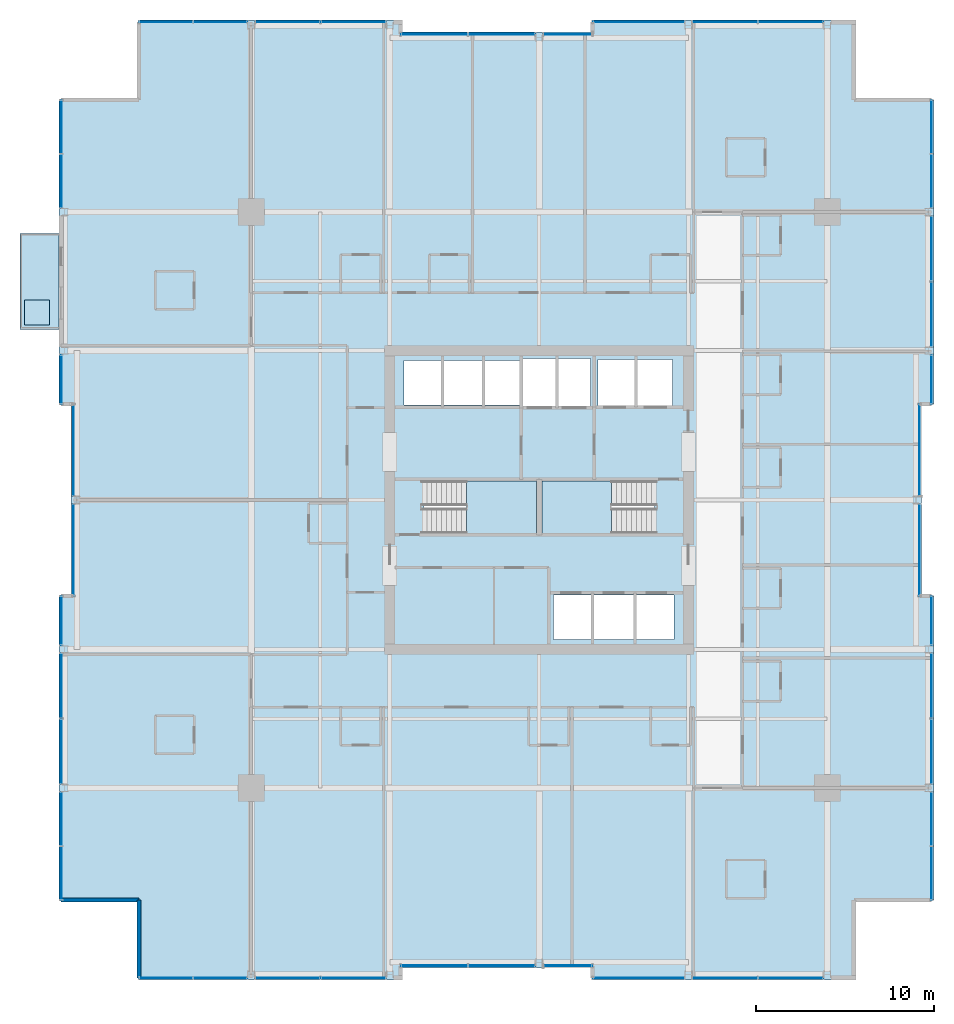
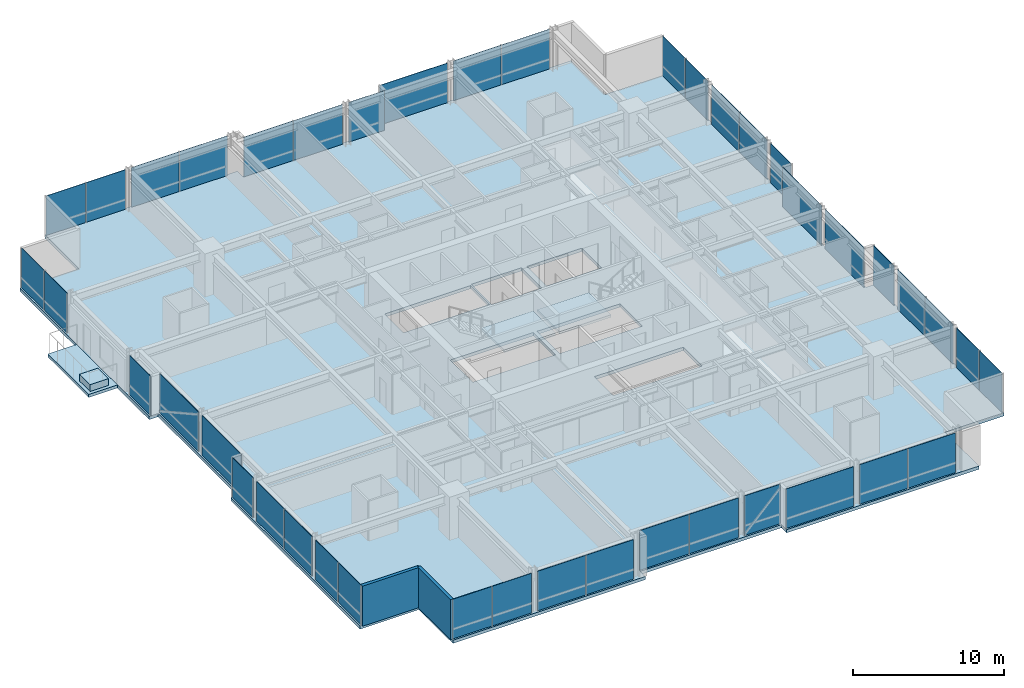
# One storey, part 27 of 35: 42 plates, 5 slabs, 2 walls, 29 elements without a shape of their own.
"""IFC4 building model written with IfcOpenShell, lengths in metres."""

from ifc_helpers import new_model, si_unit, direction, frame, frame_2d, origin, origin_2d, place, context, subcontext, project, spatial, polyline, rectangle, outline, extrude, material, layer, layer_set, type_object, element, aggregate, save


model = new_model("IFC4")

# Units and contexts
model_context = context("Model", 3, precision=1e-05, world=origin(), true_north=direction((0.0, 1.0)))
body_context = subcontext(model_context, "Body", "Model", "MODEL_VIEW")
ifc_project = project(units=[si_unit("LENGTHUNIT", "METRE"), si_unit("AREAUNIT", "SQUARE_METRE"), si_unit("VOLUMEUNIT", "CUBIC_METRE"), si_unit("PLANEANGLEUNIT", "RADIAN"), si_unit("MASSUNIT", "GRAM", prefix="KILO")], contexts=[model_context])

# Site, building, storey
site_placement = place(None, origin())
site = spatial("IfcSite", under=ifc_project, at=site_placement, CompositionType="ELEMENT")
building_placement = place(site_placement, origin())
building = spatial("IfcBuilding", under=site, at=building_placement, Name="Drelvath Grand Hotel", CompositionType="ELEMENT")
storey_placement = place(building_placement, frame((0.0, 0.0, 123.300048828125)))
storey = spatial("IfcBuildingStorey", under=building, at=storey_placement, Name="L31", CompositionType="ELEMENT", Elevation=123.300048828125)

# Slabs
ifc_material_1 = material(Name="Concrete f'c 40 MPa", Category="concrete")
ifc_layer_1 = layer(ifc_material_1, 0.239990234375)
ifc_layer_set_1 = layer_set([ifc_layer_1], Name="Concrete f'c 40 MPa")
slab_type_1 = type_object("IfcSlabType", Name="Cantilevered Tree Balcony Slab 240", PredefinedType="FLOOR", material=ifc_layer_set_1)
slab_1_placement = place(storey_placement, frame((0.0, 0.0, -0.239990234375)))
element("IfcSlab", 1, at=slab_1_placement, inside=storey, type_object=slab_type_1, Name="L31 Cantilevered Tree Balcony Slab 1", PredefinedType="FLOOR", context=body_context, shape_type="SweptSolid", body=[
    extrude(outline(polyline([(-29.199951171875, 36.60009765625), (-27.0, 36.60009765625), (-27.0, 42.0), (-29.199951171875, 42.0), (-29.199951171875, 36.60009765625)])), origin(), (0.0, 0.0, 1.0), 0.239990234375),
])
ifc_layer_2 = layer(ifc_material_1, 0.260009765625)
ifc_layer_set_2 = layer_set([ifc_layer_2], Name="Concrete f'c 40 MPa")
slab_type_2 = type_object("IfcSlabType", Name="Composite RC Floor Slab 260", PredefinedType="FLOOR", material=ifc_layer_set_2)
slab_2_placement = place(storey_placement, frame((0.0, 0.0, -0.260009765625)))
element("IfcSlab", 2, at=slab_2_placement, inside=storey, type_object=slab_type_2, Name="L31 Structural Floor Slab", PredefinedType="FLOOR", context=body_context, shape_type="SweptSolid", body=[
    extrude(outline(polyline([(-22.5, 0.0), (-7.800048828125, 0.0), (-7.800048828125, 0.679931640625), (3.0, 0.679931640625), (3.0, 0.0), (17.699951171875, 0.0), (17.699951171875, 4.5), (22.199951171875, 4.5), (22.199951171875, 21.60009765625), (21.52001953125, 21.60009765625), (21.52001953125, 32.39990234375), (22.199951171875, 32.39990234375), (22.199951171875, 49.5), (17.699951171875, 49.5), (17.699951171875, 54.0), (3.0, 54.0), (3.0, 53.320068359375), (-7.800048828125, 53.320068359375), (-7.800048828125, 54.0), (-22.5, 54.0), (-22.5, 49.5), (-27.0, 49.5), (-27.0, 32.39990234375), (-26.320068359375, 32.39990234375), (-26.320068359375, 21.60009765625), (-27.0, 21.60009765625), (-27.0, 4.5), (-22.5, 4.5), (-22.5, 0.0)]), holes=[polyline([(-6.47998046875, 25.1201171875), (-6.47998046875, 28.080078125), (-0.14990234375, 28.080078125), (-0.14990234375, 25.1201171875), (-6.47998046875, 25.1201171875)]), polyline([(0.14990234375, 25.1201171875), (0.14990234375, 28.080078125), (6.47998046875, 28.080078125), (6.47998046875, 25.1201171875), (0.14990234375, 25.1201171875)]), polyline([(0.800048828125, 19.14990234375), (0.800048828125, 21.64990234375), (7.60009765625, 21.64990234375), (7.60009765625, 19.14990234375), (0.800048828125, 19.14990234375)]), polyline([(-7.60009765625, 32.35009765625), (-7.60009765625, 34.85009765625), (-1.02001953125, 34.85009765625), (-1.02001953125, 32.35009765625), (-7.60009765625, 32.35009765625)]), polyline([(-0.89990234375, 32.25), (-0.89990234375, 34.949951171875), (2.89990234375, 34.949951171875), (2.89990234375, 32.25), (-0.89990234375, 32.25)]), polyline([(3.300048828125, 32.300048828125), (3.300048828125, 34.89990234375), (7.5, 34.89990234375), (7.5, 32.300048828125), (3.300048828125, 32.300048828125)])]), origin(), (0.0, 0.0, 1.0), 0.260009765625),
])

# Stair, slab
ifc_material_2 = material(Name="Concrete C40/50", Category="concrete")
stair_type = type_object("IfcStairType", Name="Dogleg Exit Stair W1400-R175.0", PredefinedType="HALF_TURN_STAIR", material=ifc_material_2)
stair_1_placement = place(storey_placement, origin())
stair_1 = element("IfcStair", 3, at=stair_1_placement, inside=storey, type_object=stair_type, Name="L31 Core Exit Stair ST-1", PredefinedType="HALF_TURN_STAIR")
ifc_layer_3 = layer(ifc_material_2, 0.199951171875)
ifc_layer_set_3 = layer_set([ifc_layer_3], Name="Concrete C40/50")
slab_type_3 = type_object("IfcSlabType", Name="Concrete Stair Landing Slab 200", PredefinedType="LANDING", material=ifc_layer_set_3)
slab_3_placement = place(storey_placement, frame((0.0, 0.0, 1.550048828125)))
slab_3 = element("IfcSlab", 4, at=slab_3_placement, type_object=slab_type_3, Name="ST-1 landing 1", PredefinedType="LANDING", context=body_context, shape_type="SweptSolid", body=[
    extrude(outline(polyline([(-4.080078125, 25.1201171875), (-0.14990234375, 25.1201171875), (-0.14990234375, 28.080078125), (-4.080078125, 28.080078125), (-4.080078125, 25.1201171875)])), origin(), (0.0, 0.0, 1.0), 0.199951171875),
])
aggregate(stair_1, [slab_3])

stair_2_placement = place(storey_placement, origin())
stair_2 = element("IfcStair", 5, at=stair_2_placement, inside=storey, type_object=stair_type, Name="L31 Core Exit Stair ST-2", PredefinedType="HALF_TURN_STAIR")
slab_4_placement = place(storey_placement, frame((0.0, 0.0, 1.550048828125)))
slab_4 = element("IfcSlab", 6, at=slab_4_placement, type_object=slab_type_3, Name="ST-2 landing 1", PredefinedType="LANDING", context=body_context, shape_type="SweptSolid", body=[
    extrude(outline(polyline([(4.080078125, 28.080078125), (0.14990234375, 28.080078125), (0.14990234375, 25.1201171875), (4.080078125, 25.1201171875), (4.080078125, 28.080078125)])), origin(), (0.0, 0.0, 1.0), 0.199951171875),
])
aggregate(stair_2, [slab_4])

# Curtain wall, plates
ifc_material_3 = material(Name="Champagne Bronze Anodised Aluminium Frame", Category="aluminium")
ifc_layer_4 = layer(ifc_material_3, 0.199951171875)
ifc_layer_set_4 = layer_set([ifc_layer_4], Name="Champagne Bronze Anodised Aluminium Frame")
curtain_wall_type = type_object("IfcCurtainWallType", Name="Stick Curtain Wall CW-03 Champagne Bronze Mid-Rise", PredefinedType="NOTDEFINED", material=ifc_layer_set_4)
curtain_wall_1_placement = place(storey_placement, origin())
curtain_wall_1 = element("IfcCurtainWall", 7, at=curtain_wall_1_placement, inside=storey, type_object=curtain_wall_type, Name="L31 CW-03 Curtain Wall CW03-L31-WS1", PredefinedType="NOTDEFINED")
ifc_material_4 = material(Name="Low-E Triple Silver Vision Glass Neutral", Category="glass")
ifc_layer_5 = layer(ifc_material_4, 0.035888671875)
ifc_layer_set_5 = layer_set([ifc_layer_5], Name="Low-E Triple Silver Vision Glass Neutral")
plate_type = type_object("IfcPlateType", Name="Curtain Wall Vision Panel CW-03 36mm", PredefinedType="CURTAIN_PANEL", material=ifc_layer_set_5)
plate_1_placement = place(storey_placement, frame((-26.8798828125, 6.022705078125, 0.02001953125), z_axis=(0.0, 0.0, 1.0), x_axis=(0.0, 1.0, 0.0)))
plate_1 = element("IfcPlate", 8, at=plate_1_placement, type_object=plate_type, Name="CW03-L31-WS1 Glazed Panel 1", PredefinedType="CURTAIN_PANEL", context=body_context, shape_type="SweptSolid", body=[
    extrude(rectangle(XDim=3.00537109375, YDim=0.035888671875, at=origin_2d()), origin(), (0.0, 0.0, 1.0), 3.199951171875),
])
plate_2_placement = place(storey_placement, frame((-26.8798828125, 9.06787109375, 0.02001953125), z_axis=(0.0, 0.0, 1.0), x_axis=(0.0, 1.0, 0.0)))
plate_2 = element("IfcPlate", 9, at=plate_2_placement, type_object=plate_type, Name="CW03-L31-WS1 Glazed Panel 2", PredefinedType="CURTAIN_PANEL", context=body_context, shape_type="SweptSolid", body=[
    extrude(rectangle(XDim=3.00537109375, YDim=0.035888671875, at=origin_2d()), origin(), (0.0, 0.0, 1.0), 3.199951171875),
])
aggregate(curtain_wall_1, [plate_1, plate_2])

curtain_wall_2_placement = place(storey_placement, origin())
curtain_wall_2 = element("IfcCurtainWall", 10, at=curtain_wall_2_placement, inside=storey, type_object=curtain_wall_type, Name="L31 CW-03 Curtain Wall CW03-L31-WS2", PredefinedType="NOTDEFINED")
plate_3_placement = place(storey_placement, frame((-26.8798828125, 12.854736328125, 0.02001953125), z_axis=(0.0, 0.0, 1.0), x_axis=(0.0, 1.0, 0.0)))
plate_3 = element("IfcPlate", 11, at=plate_3_placement, type_object=plate_type, Name="CW03-L31-WS2 Glazed Panel 1", PredefinedType="CURTAIN_PANEL", context=body_context, shape_type="SweptSolid", body=[
    extrude(rectangle(XDim=3.650634765625, YDim=0.035888671875, at=origin_2d()), origin(), (0.0, 0.0, 1.0), 3.199951171875),
])
plate_4_placement = place(storey_placement, frame((-26.8798828125, 16.54541015625, 0.02001953125), z_axis=(0.0, 0.0, 1.0), x_axis=(0.0, 1.0, 0.0)))
plate_4 = element("IfcPlate", 12, at=plate_4_placement, type_object=plate_type, Name="CW03-L31-WS2 Glazed Panel 2", PredefinedType="CURTAIN_PANEL", context=body_context, shape_type="SweptSolid", body=[
    extrude(rectangle(XDim=3.650634765625, YDim=0.035888671875, at=origin_2d()), origin(), (0.0, 0.0, 1.0), 3.199951171875),
])
aggregate(curtain_wall_2, [plate_3, plate_4])

# Curtain wall, plate
curtain_wall_3_placement = place(storey_placement, origin())
curtain_wall_3 = element("IfcCurtainWall", 13, at=curtain_wall_3_placement, inside=storey, type_object=curtain_wall_type, Name="L31 CW-03 Curtain Wall CW03-L31-WS3", PredefinedType="NOTDEFINED")
plate_5_placement = place(storey_placement, frame((-26.8798828125, 20.20458984375, 0.02001953125), z_axis=(0.0, 0.0, 1.0), x_axis=(0.0, 1.0, 0.0)))
plate_5 = element("IfcPlate", 14, at=plate_5_placement, type_object=plate_type, Name="CW03-L31-WS3 Glazed Panel 1", PredefinedType="CURTAIN_PANEL", context=body_context, shape_type="SweptSolid", body=[
    extrude(rectangle(XDim=2.75048828125, YDim=0.035888671875, at=origin_2d()), origin(), (0.0, 0.0, 1.0), 3.199951171875),
])
aggregate(curtain_wall_3, [plate_5])

curtain_wall_4_placement = place(storey_placement, origin())
curtain_wall_4 = element("IfcCurtainWall", 15, at=curtain_wall_4_placement, inside=storey, type_object=curtain_wall_type, Name="L31 CW-03 Curtain Wall CW03-L31-WM1", PredefinedType="NOTDEFINED")
plate_6_placement = place(storey_placement, frame((-26.199951171875, 24.1953125, 0.02001953125), z_axis=(0.0, 0.0, 1.0), x_axis=(0.0, 1.0, 0.0)))
plate_6 = element("IfcPlate", 16, at=plate_6_placement, type_object=plate_type, Name="CW03-L31-WM1 Glazed Panel 1", PredefinedType="CURTAIN_PANEL", context=body_context, shape_type="SweptSolid", body=[
    extrude(rectangle(XDim=5.150634765625, YDim=0.035888671875, at=origin_2d()), origin(), (0.0, 0.0, 1.0), 3.199951171875),
])
aggregate(curtain_wall_4, [plate_6])

curtain_wall_5_placement = place(storey_placement, origin())
curtain_wall_5 = element("IfcCurtainWall", 17, at=curtain_wall_5_placement, inside=storey, type_object=curtain_wall_type, Name="L31 CW-03 Curtain Wall CW03-L31-WM2", PredefinedType="NOTDEFINED")
plate_7_placement = place(storey_placement, frame((-26.199951171875, 29.8046875, 0.02001953125), z_axis=(0.0, 0.0, 1.0), x_axis=(0.0, 1.0, 0.0)))
plate_7 = element("IfcPlate", 18, at=plate_7_placement, type_object=plate_type, Name="CW03-L31-WM2 Glazed Panel 1", PredefinedType="CURTAIN_PANEL", context=body_context, shape_type="SweptSolid", body=[
    extrude(rectangle(XDim=5.150634765625, YDim=0.035888671875, at=origin_2d()), origin(), (0.0, 0.0, 1.0), 3.199951171875),
])
aggregate(curtain_wall_5, [plate_7])

curtain_wall_6_placement = place(storey_placement, origin())
curtain_wall_6 = element("IfcCurtainWall", 19, at=curtain_wall_6_placement, inside=storey, type_object=curtain_wall_type, Name="L31 CW-03 Curtain Wall CW03-L31-WN1", PredefinedType="NOTDEFINED")
plate_8_placement = place(storey_placement, frame((-26.8798828125, 33.79541015625, 0.02001953125), z_axis=(0.0, 0.0, 1.0), x_axis=(0.0, 1.0, 0.0)))
plate_8 = element("IfcPlate", 20, at=plate_8_placement, type_object=plate_type, Name="CW03-L31-WN1 Glazed Panel 1", PredefinedType="CURTAIN_PANEL", context=body_context, shape_type="SweptSolid", body=[
    extrude(rectangle(XDim=2.75048828125, YDim=0.035888671875, at=origin_2d()), origin(), (0.0, 0.0, 1.0), 3.199951171875),
])
aggregate(curtain_wall_6, [plate_8])

# Curtain wall, plates
curtain_wall_7_placement = place(storey_placement, origin())
curtain_wall_7 = element("IfcCurtainWall", 21, at=curtain_wall_7_placement, inside=storey, type_object=curtain_wall_type, Name="L31 CW-03 Curtain Wall CW03-L31-WN3", PredefinedType="NOTDEFINED")
plate_9_placement = place(storey_placement, frame((-26.8798828125, 44.93212890625, 0.02001953125), z_axis=(0.0, 0.0, 1.0), x_axis=(0.0, 1.0, 0.0)))
plate_9 = element("IfcPlate", 22, at=plate_9_placement, type_object=plate_type, Name="CW03-L31-WN3 Glazed Panel 1", PredefinedType="CURTAIN_PANEL", context=body_context, shape_type="SweptSolid", body=[
    extrude(rectangle(XDim=3.00537109375, YDim=0.035888671875, at=origin_2d()), origin(), (0.0, 0.0, 1.0), 3.199951171875),
])
plate_10_placement = place(storey_placement, frame((-26.8798828125, 47.977294921875, 0.02001953125), z_axis=(0.0, 0.0, 1.0), x_axis=(0.0, 1.0, 0.0)))
plate_10 = element("IfcPlate", 23, at=plate_10_placement, type_object=plate_type, Name="CW03-L31-WN3 Glazed Panel 2", PredefinedType="CURTAIN_PANEL", context=body_context, shape_type="SweptSolid", body=[
    extrude(rectangle(XDim=3.00537109375, YDim=0.035888671875, at=origin_2d()), origin(), (0.0, 0.0, 1.0), 3.199951171875),
])
aggregate(curtain_wall_7, [plate_9, plate_10])

# Curtain wall, plate
curtain_wall_8_placement = place(storey_placement, origin())
curtain_wall_8 = element("IfcCurtainWall", 24, at=curtain_wall_8_placement, inside=storey, type_object=curtain_wall_type, Name="L31 CW-03 Curtain Wall CW03-L31-EN1", PredefinedType="NOTDEFINED")
plate_11_placement = place(storey_placement, frame((22.080078125, 33.79541015625, 0.02001953125), z_axis=(0.0, 0.0, 1.0), x_axis=(0.0, -1.0, 0.0)))
plate_11 = element("IfcPlate", 25, at=plate_11_placement, type_object=plate_type, Name="CW03-L31-EN1 Glazed Panel 1", PredefinedType="CURTAIN_PANEL", context=body_context, shape_type="SweptSolid", body=[
    extrude(rectangle(XDim=2.75048828125, YDim=0.035888671875, at=origin_2d()), origin(), (0.0, 0.0, 1.0), 3.199951171875),
])
aggregate(curtain_wall_8, [plate_11])

# Curtain wall, plates
curtain_wall_9_placement = place(storey_placement, origin())
curtain_wall_9 = element("IfcCurtainWall", 26, at=curtain_wall_9_placement, inside=storey, type_object=curtain_wall_type, Name="L31 CW-03 Curtain Wall CW03-L31-EN2", PredefinedType="NOTDEFINED")
plate_12_placement = place(storey_placement, frame((22.080078125, 41.145263671875, 0.02001953125), z_axis=(0.0, 0.0, 1.0), x_axis=(0.0, -1.0, 0.0)))
plate_12 = element("IfcPlate", 27, at=plate_12_placement, type_object=plate_type, Name="CW03-L31-EN2 Glazed Panel 1", PredefinedType="CURTAIN_PANEL", context=body_context, shape_type="SweptSolid", body=[
    extrude(rectangle(XDim=3.650634765625, YDim=0.035888671875, at=origin_2d()), origin(), (0.0, 0.0, 1.0), 3.199951171875),
])
plate_13_placement = place(storey_placement, frame((22.080078125, 37.45458984375, 0.02001953125), z_axis=(0.0, 0.0, 1.0), x_axis=(0.0, -1.0, 0.0)))
plate_13 = element("IfcPlate", 28, at=plate_13_placement, type_object=plate_type, Name="CW03-L31-EN2 Glazed Panel 2", PredefinedType="CURTAIN_PANEL", context=body_context, shape_type="SweptSolid", body=[
    extrude(rectangle(XDim=3.650634765625, YDim=0.035888671875, at=origin_2d()), origin(), (0.0, 0.0, 1.0), 3.199951171875),
])
aggregate(curtain_wall_9, [plate_12, plate_13])

curtain_wall_10_placement = place(storey_placement, origin())
curtain_wall_10 = element("IfcCurtainWall", 29, at=curtain_wall_10_placement, inside=storey, type_object=curtain_wall_type, Name="L31 CW-03 Curtain Wall CW03-L31-EN3", PredefinedType="NOTDEFINED")
plate_14_placement = place(storey_placement, frame((22.080078125, 47.977294921875, 0.02001953125), z_axis=(0.0, 0.0, 1.0), x_axis=(0.0, -1.0, 0.0)))
plate_14 = element("IfcPlate", 30, at=plate_14_placement, type_object=plate_type, Name="CW03-L31-EN3 Glazed Panel 1", PredefinedType="CURTAIN_PANEL", context=body_context, shape_type="SweptSolid", body=[
    extrude(rectangle(XDim=3.00537109375, YDim=0.035888671875, at=origin_2d()), origin(), (0.0, 0.0, 1.0), 3.199951171875),
])
plate_15_placement = place(storey_placement, frame((22.080078125, 44.93212890625, 0.02001953125), z_axis=(0.0, 0.0, 1.0), x_axis=(0.0, -1.0, 0.0)))
plate_15 = element("IfcPlate", 31, at=plate_15_placement, type_object=plate_type, Name="CW03-L31-EN3 Glazed Panel 2", PredefinedType="CURTAIN_PANEL", context=body_context, shape_type="SweptSolid", body=[
    extrude(rectangle(XDim=3.00537109375, YDim=0.035888671875, at=origin_2d()), origin(), (0.0, 0.0, 1.0), 3.199951171875),
])
aggregate(curtain_wall_10, [plate_14, plate_15])

# Curtain wall, plate
curtain_wall_11_placement = place(storey_placement, origin())
curtain_wall_11 = element("IfcCurtainWall", 32, at=curtain_wall_11_placement, inside=storey, type_object=curtain_wall_type, Name="L31 CW-03 Curtain Wall CW03-L31-EM1", PredefinedType="NOTDEFINED")
plate_16_placement = place(storey_placement, frame((21.39990234375, 24.1953125, 0.02001953125), z_axis=(0.0, 0.0, 1.0), x_axis=(0.0, -1.0, 0.0)))
plate_16 = element("IfcPlate", 33, at=plate_16_placement, type_object=plate_type, Name="CW03-L31-EM1 Glazed Panel 1", PredefinedType="CURTAIN_PANEL", context=body_context, shape_type="SweptSolid", body=[
    extrude(rectangle(XDim=5.150634765625, YDim=0.035888671875, at=origin_2d()), origin(), (0.0, 0.0, 1.0), 3.199951171875),
])
aggregate(curtain_wall_11, [plate_16])

curtain_wall_12_placement = place(storey_placement, origin())
curtain_wall_12 = element("IfcCurtainWall", 34, at=curtain_wall_12_placement, inside=storey, type_object=curtain_wall_type, Name="L31 CW-03 Curtain Wall CW03-L31-EM2", PredefinedType="NOTDEFINED")
plate_17_placement = place(storey_placement, frame((21.39990234375, 29.8046875, 0.02001953125), z_axis=(0.0, 0.0, 1.0), x_axis=(0.0, -1.0, 0.0)))
plate_17 = element("IfcPlate", 35, at=plate_17_placement, type_object=plate_type, Name="CW03-L31-EM2 Glazed Panel 1", PredefinedType="CURTAIN_PANEL", context=body_context, shape_type="SweptSolid", body=[
    extrude(rectangle(XDim=5.150634765625, YDim=0.035888671875, at=origin_2d()), origin(), (0.0, 0.0, 1.0), 3.199951171875),
])
aggregate(curtain_wall_12, [plate_17])

# Curtain wall, plates
curtain_wall_13_placement = place(storey_placement, origin())
curtain_wall_13 = element("IfcCurtainWall", 36, at=curtain_wall_13_placement, inside=storey, type_object=curtain_wall_type, Name="L31 CW-03 Curtain Wall CW03-L31-ES1", PredefinedType="NOTDEFINED")
plate_18_placement = place(storey_placement, frame((22.080078125, 9.06787109375, 0.02001953125), z_axis=(0.0, 0.0, 1.0), x_axis=(0.0, -1.0, 0.0)))
plate_18 = element("IfcPlate", 37, at=plate_18_placement, type_object=plate_type, Name="CW03-L31-ES1 Glazed Panel 1", PredefinedType="CURTAIN_PANEL", context=body_context, shape_type="SweptSolid", body=[
    extrude(rectangle(XDim=3.00537109375, YDim=0.035888671875, at=origin_2d()), origin(), (0.0, 0.0, 1.0), 3.199951171875),
])
plate_19_placement = place(storey_placement, frame((22.080078125, 6.022705078125, 0.02001953125), z_axis=(0.0, 0.0, 1.0), x_axis=(0.0, -1.0, 0.0)))
plate_19 = element("IfcPlate", 38, at=plate_19_placement, type_object=plate_type, Name="CW03-L31-ES1 Glazed Panel 2", PredefinedType="CURTAIN_PANEL", context=body_context, shape_type="SweptSolid", body=[
    extrude(rectangle(XDim=3.00537109375, YDim=0.035888671875, at=origin_2d()), origin(), (0.0, 0.0, 1.0), 3.199951171875),
])
aggregate(curtain_wall_13, [plate_18, plate_19])

curtain_wall_14_placement = place(storey_placement, origin())
curtain_wall_14 = element("IfcCurtainWall", 39, at=curtain_wall_14_placement, inside=storey, type_object=curtain_wall_type, Name="L31 CW-03 Curtain Wall CW03-L31-ES2", PredefinedType="NOTDEFINED")
plate_20_placement = place(storey_placement, frame((22.080078125, 16.54541015625, 0.02001953125), z_axis=(0.0, 0.0, 1.0), x_axis=(0.0, -1.0, 0.0)))
plate_20 = element("IfcPlate", 40, at=plate_20_placement, type_object=plate_type, Name="CW03-L31-ES2 Glazed Panel 1", PredefinedType="CURTAIN_PANEL", context=body_context, shape_type="SweptSolid", body=[
    extrude(rectangle(XDim=3.650634765625, YDim=0.035888671875, at=origin_2d()), origin(), (0.0, 0.0, 1.0), 3.199951171875),
])
plate_21_placement = place(storey_placement, frame((22.080078125, 12.854736328125, 0.02001953125), z_axis=(0.0, 0.0, 1.0), x_axis=(0.0, -1.0, 0.0)))
plate_21 = element("IfcPlate", 41, at=plate_21_placement, type_object=plate_type, Name="CW03-L31-ES2 Glazed Panel 2", PredefinedType="CURTAIN_PANEL", context=body_context, shape_type="SweptSolid", body=[
    extrude(rectangle(XDim=3.650634765625, YDim=0.035888671875, at=origin_2d()), origin(), (0.0, 0.0, 1.0), 3.199951171875),
])
aggregate(curtain_wall_14, [plate_20, plate_21])

# Curtain wall, plate
curtain_wall_15_placement = place(storey_placement, origin())
curtain_wall_15 = element("IfcCurtainWall", 42, at=curtain_wall_15_placement, inside=storey, type_object=curtain_wall_type, Name="L31 CW-03 Curtain Wall CW03-L31-ES3", PredefinedType="NOTDEFINED")
plate_22_placement = place(storey_placement, frame((22.080078125, 20.20458984375, 0.02001953125), z_axis=(0.0, 0.0, 1.0), x_axis=(0.0, -1.0, 0.0)))
plate_22 = element("IfcPlate", 43, at=plate_22_placement, type_object=plate_type, Name="CW03-L31-ES3 Glazed Panel 1", PredefinedType="CURTAIN_PANEL", context=body_context, shape_type="SweptSolid", body=[
    extrude(rectangle(XDim=2.75048828125, YDim=0.035888671875, at=origin_2d()), origin(), (0.0, 0.0, 1.0), 3.199951171875),
])
aggregate(curtain_wall_15, [plate_22])

# Curtain wall, plates
curtain_wall_16_placement = place(storey_placement, origin())
curtain_wall_16 = element("IfcCurtainWall", 44, at=curtain_wall_16_placement, inside=storey, type_object=curtain_wall_type, Name="L31 CW-03 Curtain Wall CW03-L31-NW1", PredefinedType="NOTDEFINED")
plate_23_placement = place(storey_placement, frame((-20.977294921875, 53.8798828125, 0.02001953125), z_axis=(0.0, 0.0, 1.0), x_axis=(1.0, 0.0, 0.0)))
plate_23 = element("IfcPlate", 45, at=plate_23_placement, type_object=plate_type, Name="CW03-L31-NW1 Glazed Panel 1", PredefinedType="CURTAIN_PANEL", context=body_context, shape_type="SweptSolid", body=[
    extrude(rectangle(XDim=3.00537109375, YDim=0.035888671875, at=origin_2d()), origin(), (0.0, 0.0, 1.0), 3.199951171875),
])
plate_24_placement = place(storey_placement, frame((-17.93212890625, 53.8798828125, 0.02001953125), z_axis=(0.0, 0.0, 1.0), x_axis=(1.0, 0.0, 0.0)))
plate_24 = element("IfcPlate", 46, at=plate_24_placement, type_object=plate_type, Name="CW03-L31-NW1 Glazed Panel 2", PredefinedType="CURTAIN_PANEL", context=body_context, shape_type="SweptSolid", body=[
    extrude(rectangle(XDim=3.00537109375, YDim=0.035888671875, at=origin_2d()), origin(), (0.0, 0.0, 1.0), 3.199951171875),
])
aggregate(curtain_wall_16, [plate_23, plate_24])

curtain_wall_17_placement = place(storey_placement, origin())
curtain_wall_17 = element("IfcCurtainWall", 47, at=curtain_wall_17_placement, inside=storey, type_object=curtain_wall_type, Name="L31 CW-03 Curtain Wall CW03-L31-NW2", PredefinedType="NOTDEFINED")
plate_25_placement = place(storey_placement, frame((-14.145263671875, 53.8798828125, 0.02001953125), z_axis=(0.0, 0.0, 1.0), x_axis=(1.0, 0.0, 0.0)))
plate_25 = element("IfcPlate", 48, at=plate_25_placement, type_object=plate_type, Name="CW03-L31-NW2 Glazed Panel 1", PredefinedType="CURTAIN_PANEL", context=body_context, shape_type="SweptSolid", body=[
    extrude(rectangle(XDim=3.650634765625, YDim=0.035888671875, at=origin_2d()), origin(), (0.0, 0.0, 1.0), 3.199951171875),
])
plate_26_placement = place(storey_placement, frame((-10.45458984375, 53.8798828125, 0.02001953125), z_axis=(0.0, 0.0, 1.0), x_axis=(1.0, 0.0, 0.0)))
plate_26 = element("IfcPlate", 49, at=plate_26_placement, type_object=plate_type, Name="CW03-L31-NW2 Glazed Panel 2", PredefinedType="CURTAIN_PANEL", context=body_context, shape_type="SweptSolid", body=[
    extrude(rectangle(XDim=3.650634765625, YDim=0.035888671875, at=origin_2d()), origin(), (0.0, 0.0, 1.0), 3.199951171875),
])
aggregate(curtain_wall_17, [plate_25, plate_26])

curtain_wall_18_placement = place(storey_placement, origin())
curtain_wall_18 = element("IfcCurtainWall", 50, at=curtain_wall_18_placement, inside=storey, type_object=curtain_wall_type, Name="L31 CW-03 Curtain Wall CW03-L31-NM1", PredefinedType="NOTDEFINED")
plate_27_placement = place(storey_placement, frame((-5.90234375, 53.199951171875, 0.02001953125), z_axis=(0.0, 0.0, 1.0), x_axis=(1.0, 0.0, 0.0)))
plate_27 = element("IfcPlate", 51, at=plate_27_placement, type_object=plate_type, Name="CW03-L31-NM1 Glazed Panel 1", PredefinedType="CURTAIN_PANEL", context=body_context, shape_type="SweptSolid", body=[
    extrude(rectangle(XDim=3.75537109375, YDim=0.035888671875, at=origin_2d()), origin(), (0.0, 0.0, 1.0), 3.199951171875),
])
plate_28_placement = place(storey_placement, frame((-2.107177734375, 53.199951171875, 0.02001953125), z_axis=(0.0, 0.0, 1.0), x_axis=(1.0, 0.0, 0.0)))
plate_28 = element("IfcPlate", 52, at=plate_28_placement, type_object=plate_type, Name="CW03-L31-NM1 Glazed Panel 2", PredefinedType="CURTAIN_PANEL", context=body_context, shape_type="SweptSolid", body=[
    extrude(rectangle(XDim=3.75537109375, YDim=0.035888671875, at=origin_2d()), origin(), (0.0, 0.0, 1.0), 3.199951171875),
])
aggregate(curtain_wall_18, [plate_27, plate_28])

# Curtain wall, plate
curtain_wall_19_placement = place(storey_placement, origin())
curtain_wall_19 = element("IfcCurtainWall", 53, at=curtain_wall_19_placement, inside=storey, type_object=curtain_wall_type, Name="L31 CW-03 Curtain Wall CW03-L31-NM2", PredefinedType="NOTDEFINED")
plate_29_placement = place(storey_placement, frame((1.604736328125, 53.199951171875, 0.02001953125), z_axis=(0.0, 0.0, 1.0), x_axis=(1.0, 0.0, 0.0)))
plate_29 = element("IfcPlate", 54, at=plate_29_placement, type_object=plate_type, Name="CW03-L31-NM2 Glazed Panel 1", PredefinedType="CURTAIN_PANEL", context=body_context, shape_type="SweptSolid", body=[
    extrude(rectangle(XDim=2.75048828125, YDim=0.035888671875, at=origin_2d()), origin(), (0.0, 0.0, 1.0), 3.199951171875),
])
aggregate(curtain_wall_19, [plate_29])

curtain_wall_20_placement = place(storey_placement, origin())
curtain_wall_20 = element("IfcCurtainWall", 55, at=curtain_wall_20_placement, inside=storey, type_object=curtain_wall_type, Name="L31 CW-03 Curtain Wall CW03-L31-NE1", PredefinedType="NOTDEFINED")
plate_30_placement = place(storey_placement, frame((5.59521484375, 53.8798828125, 0.02001953125), z_axis=(0.0, 0.0, 1.0), x_axis=(1.0, 0.0, 0.0)))
plate_30 = element("IfcPlate", 56, at=plate_30_placement, type_object=plate_type, Name="CW03-L31-NE1 Glazed Panel 1", PredefinedType="CURTAIN_PANEL", context=body_context, shape_type="SweptSolid", body=[
    extrude(rectangle(XDim=5.150634765625, YDim=0.035888671875, at=origin_2d()), origin(), (0.0, 0.0, 1.0), 3.199951171875),
])
aggregate(curtain_wall_20, [plate_30])

# Curtain wall, plates
curtain_wall_21_placement = place(storey_placement, origin())
curtain_wall_21 = element("IfcCurtainWall", 57, at=curtain_wall_21_placement, inside=storey, type_object=curtain_wall_type, Name="L31 CW-03 Curtain Wall CW03-L31-NE2", PredefinedType="NOTDEFINED")
plate_31_placement = place(storey_placement, frame((10.45458984375, 53.8798828125, 0.02001953125), z_axis=(0.0, 0.0, 1.0), x_axis=(1.0, 0.0, 0.0)))
plate_31 = element("IfcPlate", 58, at=plate_31_placement, type_object=plate_type, Name="CW03-L31-NE2 Glazed Panel 1", PredefinedType="CURTAIN_PANEL", context=body_context, shape_type="SweptSolid", body=[
    extrude(rectangle(XDim=3.650634765625, YDim=0.035888671875, at=origin_2d()), origin(), (0.0, 0.0, 1.0), 3.199951171875),
])
plate_32_placement = place(storey_placement, frame((14.145263671875, 53.8798828125, 0.02001953125), z_axis=(0.0, 0.0, 1.0), x_axis=(1.0, 0.0, 0.0)))
plate_32 = element("IfcPlate", 59, at=plate_32_placement, type_object=plate_type, Name="CW03-L31-NE2 Glazed Panel 2", PredefinedType="CURTAIN_PANEL", context=body_context, shape_type="SweptSolid", body=[
    extrude(rectangle(XDim=3.650634765625, YDim=0.035888671875, at=origin_2d()), origin(), (0.0, 0.0, 1.0), 3.199951171875),
])
aggregate(curtain_wall_21, [plate_31, plate_32])

# Curtain wall, plate
curtain_wall_22_placement = place(storey_placement, origin())
curtain_wall_22 = element("IfcCurtainWall", 60, at=curtain_wall_22_placement, inside=storey, type_object=curtain_wall_type, Name="L31 CW-03 Curtain Wall CW03-L31-SE1", PredefinedType="NOTDEFINED")
plate_33_placement = place(storey_placement, frame((5.59521484375, 0.1201171875, 0.02001953125), z_axis=(0.0, 0.0, 1.0), x_axis=(-1.0, 0.0, 0.0)))
plate_33 = element("IfcPlate", 61, at=plate_33_placement, type_object=plate_type, Name="CW03-L31-SE1 Glazed Panel 1", PredefinedType="CURTAIN_PANEL", context=body_context, shape_type="SweptSolid", body=[
    extrude(rectangle(XDim=5.150634765625, YDim=0.035888671875, at=origin_2d()), origin(), (0.0, 0.0, 1.0), 3.199951171875),
])
aggregate(curtain_wall_22, [plate_33])

# Curtain wall, plates
curtain_wall_23_placement = place(storey_placement, origin())
curtain_wall_23 = element("IfcCurtainWall", 62, at=curtain_wall_23_placement, inside=storey, type_object=curtain_wall_type, Name="L31 CW-03 Curtain Wall CW03-L31-SE2", PredefinedType="NOTDEFINED")
plate_34_placement = place(storey_placement, frame((14.145263671875, 0.1201171875, 0.02001953125), z_axis=(0.0, 0.0, 1.0), x_axis=(-1.0, 0.0, 0.0)))
plate_34 = element("IfcPlate", 63, at=plate_34_placement, type_object=plate_type, Name="CW03-L31-SE2 Glazed Panel 1", PredefinedType="CURTAIN_PANEL", context=body_context, shape_type="SweptSolid", body=[
    extrude(rectangle(XDim=3.650634765625, YDim=0.035888671875, at=origin_2d()), origin(), (0.0, 0.0, 1.0), 3.199951171875),
])
plate_35_placement = place(storey_placement, frame((10.45458984375, 0.1201171875, 0.02001953125), z_axis=(0.0, 0.0, 1.0), x_axis=(-1.0, 0.0, 0.0)))
plate_35 = element("IfcPlate", 64, at=plate_35_placement, type_object=plate_type, Name="CW03-L31-SE2 Glazed Panel 2", PredefinedType="CURTAIN_PANEL", context=body_context, shape_type="SweptSolid", body=[
    extrude(rectangle(XDim=3.650634765625, YDim=0.035888671875, at=origin_2d()), origin(), (0.0, 0.0, 1.0), 3.199951171875),
])
aggregate(curtain_wall_23, [plate_34, plate_35])

curtain_wall_24_placement = place(storey_placement, origin())
curtain_wall_24 = element("IfcCurtainWall", 65, at=curtain_wall_24_placement, inside=storey, type_object=curtain_wall_type, Name="L31 CW-03 Curtain Wall CW03-L31-SM1", PredefinedType="NOTDEFINED")
plate_36_placement = place(storey_placement, frame((-2.107177734375, 0.800048828125, 0.02001953125), z_axis=(0.0, 0.0, 1.0), x_axis=(-1.0, 0.0, 0.0)))
plate_36 = element("IfcPlate", 66, at=plate_36_placement, type_object=plate_type, Name="CW03-L31-SM1 Glazed Panel 1", PredefinedType="CURTAIN_PANEL", context=body_context, shape_type="SweptSolid", body=[
    extrude(rectangle(XDim=3.75537109375, YDim=0.035888671875, at=origin_2d()), origin(), (0.0, 0.0, 1.0), 3.199951171875),
])
plate_37_placement = place(storey_placement, frame((-5.90234375, 0.800048828125, 0.02001953125), z_axis=(0.0, 0.0, 1.0), x_axis=(-1.0, 0.0, 0.0)))
plate_37 = element("IfcPlate", 67, at=plate_37_placement, type_object=plate_type, Name="CW03-L31-SM1 Glazed Panel 2", PredefinedType="CURTAIN_PANEL", context=body_context, shape_type="SweptSolid", body=[
    extrude(rectangle(XDim=3.75537109375, YDim=0.035888671875, at=origin_2d()), origin(), (0.0, 0.0, 1.0), 3.199951171875),
])
aggregate(curtain_wall_24, [plate_36, plate_37])

# Curtain wall, plate
curtain_wall_25_placement = place(storey_placement, origin())
curtain_wall_25 = element("IfcCurtainWall", 68, at=curtain_wall_25_placement, inside=storey, type_object=curtain_wall_type, Name="L31 CW-03 Curtain Wall CW03-L31-SM2", PredefinedType="NOTDEFINED")
plate_38_placement = place(storey_placement, frame((1.604736328125, 0.800048828125, 0.02001953125), z_axis=(0.0, 0.0, 1.0), x_axis=(-1.0, 0.0, 0.0)))
plate_38 = element("IfcPlate", 69, at=plate_38_placement, type_object=plate_type, Name="CW03-L31-SM2 Glazed Panel 1", PredefinedType="CURTAIN_PANEL", context=body_context, shape_type="SweptSolid", body=[
    extrude(rectangle(XDim=2.75048828125, YDim=0.035888671875, at=origin_2d()), origin(), (0.0, 0.0, 1.0), 3.199951171875),
])
aggregate(curtain_wall_25, [plate_38])

# Curtain wall, plates
curtain_wall_26_placement = place(storey_placement, origin())
curtain_wall_26 = element("IfcCurtainWall", 70, at=curtain_wall_26_placement, inside=storey, type_object=curtain_wall_type, Name="L31 CW-03 Curtain Wall CW03-L31-SW1", PredefinedType="NOTDEFINED")
plate_39_placement = place(storey_placement, frame((-17.93212890625, 0.1201171875, 0.02001953125), z_axis=(0.0, 0.0, 1.0), x_axis=(-1.0, 0.0, 0.0)))
plate_39 = element("IfcPlate", 71, at=plate_39_placement, type_object=plate_type, Name="CW03-L31-SW1 Glazed Panel 1", PredefinedType="CURTAIN_PANEL", context=body_context, shape_type="SweptSolid", body=[
    extrude(rectangle(XDim=3.00537109375, YDim=0.035888671875, at=origin_2d()), origin(), (0.0, 0.0, 1.0), 3.199951171875),
])
plate_40_placement = place(storey_placement, frame((-20.977294921875, 0.1201171875, 0.02001953125), z_axis=(0.0, 0.0, 1.0), x_axis=(-1.0, 0.0, 0.0)))
plate_40 = element("IfcPlate", 72, at=plate_40_placement, type_object=plate_type, Name="CW03-L31-SW1 Glazed Panel 2", PredefinedType="CURTAIN_PANEL", context=body_context, shape_type="SweptSolid", body=[
    extrude(rectangle(XDim=3.00537109375, YDim=0.035888671875, at=origin_2d()), origin(), (0.0, 0.0, 1.0), 3.199951171875),
])
aggregate(curtain_wall_26, [plate_39, plate_40])

curtain_wall_27_placement = place(storey_placement, origin())
curtain_wall_27 = element("IfcCurtainWall", 73, at=curtain_wall_27_placement, inside=storey, type_object=curtain_wall_type, Name="L31 CW-03 Curtain Wall CW03-L31-SW2", PredefinedType="NOTDEFINED")
plate_41_placement = place(storey_placement, frame((-10.45458984375, 0.1201171875, 0.02001953125), z_axis=(0.0, 0.0, 1.0), x_axis=(-1.0, 0.0, 0.0)))
plate_41 = element("IfcPlate", 74, at=plate_41_placement, type_object=plate_type, Name="CW03-L31-SW2 Glazed Panel 1", PredefinedType="CURTAIN_PANEL", context=body_context, shape_type="SweptSolid", body=[
    extrude(rectangle(XDim=3.650634765625, YDim=0.035888671875, at=origin_2d()), origin(), (0.0, 0.0, 1.0), 3.199951171875),
])
plate_42_placement = place(storey_placement, frame((-14.145263671875, 0.1201171875, 0.02001953125), z_axis=(0.0, 0.0, 1.0), x_axis=(-1.0, 0.0, 0.0)))
plate_42 = element("IfcPlate", 75, at=plate_42_placement, type_object=plate_type, Name="CW03-L31-SW2 Glazed Panel 2", PredefinedType="CURTAIN_PANEL", context=body_context, shape_type="SweptSolid", body=[
    extrude(rectangle(XDim=3.650634765625, YDim=0.035888671875, at=origin_2d()), origin(), (0.0, 0.0, 1.0), 3.199951171875),
])
aggregate(curtain_wall_27, [plate_41, plate_42])

# Slab
ifc_layer_6 = layer(ifc_material_1, 0.550048828125)
ifc_layer_set_6 = layer_set([ifc_layer_6], Name="Concrete f'c 40 MPa")
slab_type_4 = type_object("IfcSlabType", Name="Structural Tree Planter Box 550", PredefinedType="USERDEFINED", material=ifc_layer_set_6)
slab_5_placement = place(storey_placement, origin())
element("IfcSlab", 76, at=slab_5_placement, inside=storey, type_object=slab_type_4, Name="L31 Tree Balcony Structural Planter 1", ObjectType="PLANTER", PredefinedType="USERDEFINED", context=body_context, shape_type="SweptSolid", body=[
    extrude(outline(polyline([(-28.949951171875, 36.85009765625), (-27.550048828125, 36.85009765625), (-27.550048828125, 38.25), (-28.949951171875, 38.25), (-28.949951171875, 36.85009765625)])), origin(), (0.0, 0.0, 1.0), 0.550048828125),
])

# Walls
ifc_material_5 = material(Name="Pale-Metal Insulated Aluminium Spandrel Assembly", Category="aluminium")
ifc_layer_7 = layer(ifc_material_5, 0.239990234375)
ifc_layer_set_7 = layer_set([ifc_layer_7], Name="Pale-Metal Insulated Aluminium Spandrel Assembly")
wall_type = type_object("IfcWallType", Name="Tower Insulated Metal Spandrel Closure Wall 240", PredefinedType="STANDARD", material=ifc_layer_set_7)
for number, where, z_axis, x_axis, name in (
    (77, (-22.5, 0.1201171875, 0.0), (0.0, 0.0, 1.0), (0.0, 1.0, 0.0), "L31 Notched Corner Return Spandrel Wall CSW1"),
    (78, (-22.5, 4.5, 0.0), (0.0, 0.0, 1.0), (-1.0, 0.0, 0.0), "L31 Notched Corner Return Spandrel Wall CSW2"),
):
    element("IfcWall", number, at=place(storey_placement, frame(where, z_axis=z_axis, x_axis=x_axis)), inside=storey, type_object=wall_type, Name=name, PredefinedType="STANDARD", context=body_context, shape_type="SweptSolid", body=[
        extrude(rectangle(XDim=4.3798828125, YDim=0.239990234375, at=frame_2d((2.18994140625, 0.0))), origin(), (0.0, 0.0, 1.0), 3.239990234375),
    ])

save(model, "model.ifc")
